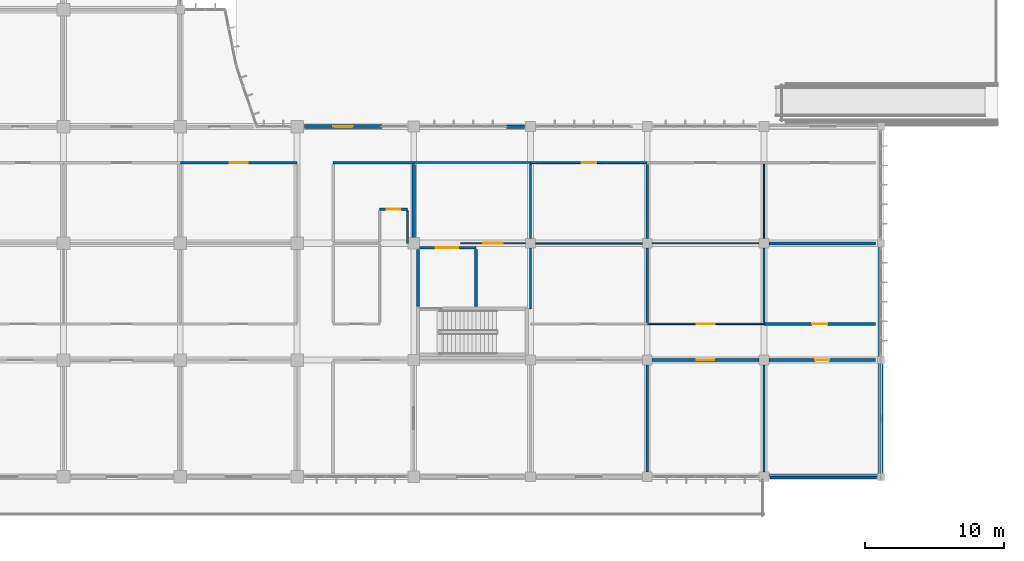
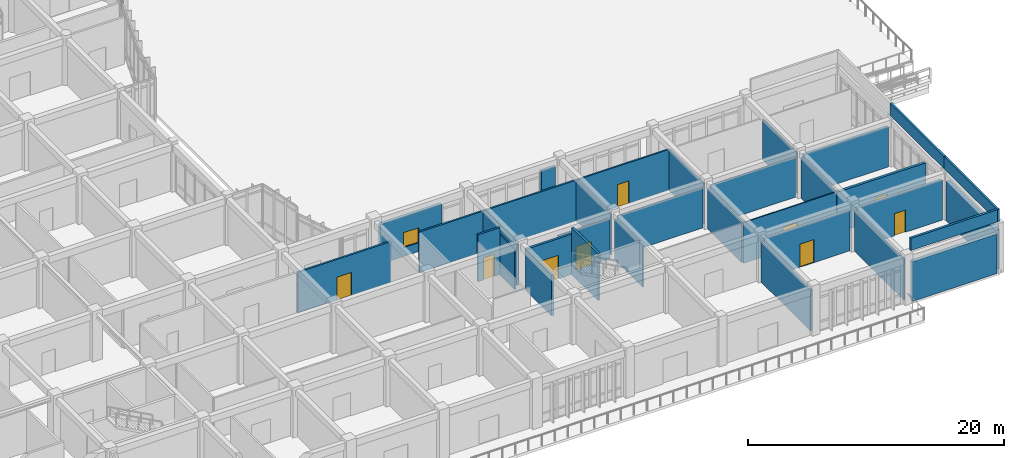
# One storey, part 108 of 138: 33 walls, 9 doors, 1 window, 10 openings.
"""IFC4 building model written with IfcOpenShell, lengths in metres."""

from ifc_helpers import new_model, si_unit, direction, frame, frame_2d, origin, place, context, subcontext, project, spatial, rectangle, extrude, material, layer, layer_set, type_object, element, fill, save


model = new_model("IFC4")

# Units and contexts
model_context = context("Model", 3, precision=1e-05, world=origin(), true_north=direction((0.0, 1.0)))
body_context = subcontext(model_context, "Body", "Model", "MODEL_VIEW")
ifc_project = project(units=[si_unit("LENGTHUNIT", "METRE"), si_unit("AREAUNIT", "SQUARE_METRE"), si_unit("VOLUMEUNIT", "CUBIC_METRE"), si_unit("PLANEANGLEUNIT", "RADIAN"), si_unit("MASSUNIT", "GRAM", prefix="KILO")], contexts=[model_context])

# Site, building, storey
site_placement = place(None, origin())
site = spatial("IfcSite", under=ifc_project, at=site_placement, CompositionType="ELEMENT")
building_placement = place(site_placement, origin())
building = spatial("IfcBuilding", under=site, at=building_placement, Name="Bramfleet General Hospital", CompositionType="ELEMENT")
storey_placement = place(building_placement, origin())
storey = spatial("IfcBuildingStorey", under=building, at=storey_placement, Name="L00", CompositionType="ELEMENT", Elevation=0.0)

# Walls
ifc_material_1 = material(Name="Precast concrete C40/50", Category="concrete")
ifc_layer_1 = layer(ifc_material_1, 0.3349609375, Name="WT-EW-03")
ifc_layer_set_1 = layer_set([ifc_layer_1], Name="Precast concrete C40/50")
wall_type_1 = type_object("IfcWallType", Name="WT-EW-03", PredefinedType="SOLIDWALL", material=ifc_layer_set_1)
wall_1_placement = place(storey_placement, frame((176.39990234375, 8.074951171875, 0.0), z_axis=(0.0, 0.0, 1.0), x_axis=(0.0, -1.0, 0.0)))
element("IfcWall", 1, at=wall_1_placement, inside=storey, type_object=wall_type_1, Name="L00 Exterior Wall 134", PredefinedType="SOLIDWALL", context=body_context, shape_type="SweptSolid", body=[
    extrude(rectangle(XDim=7.75, YDim=0.3349609375, at=frame_2d((3.875, 0.0))), origin(), (0.0, 0.0, 1.0), 3.7900390625),
])
ifc_layer_2 = layer(ifc_material_1, 0.31494140625, Name="WT-EW-04")
ifc_layer_set_2 = layer_set([ifc_layer_2], Name="Precast concrete C40/50")
wall_type_2 = type_object("IfcWallType", Name="WT-EW-04", PredefinedType="SOLIDWALL", material=ifc_layer_set_2)
wall_2_placement = place(storey_placement, frame((176.074951171875, 0.0, 0.0), z_axis=(0.0, 0.0, 1.0), x_axis=(-1.0, 0.0, 0.0)))
element("IfcWall", 2, at=wall_2_placement, inside=storey, type_object=wall_type_2, Name="L00 Exterior Wall 135", PredefinedType="SOLIDWALL", context=body_context, shape_type="SweptSolid", body=[
    extrude(rectangle(XDim=7.64990234375, YDim=0.31494140625, at=frame_2d((3.824951171875, 0.0))), origin(), (0.0, 0.0, 1.0), 3.7900390625),
])

# Wall, opening, window
ifc_layer_3 = layer(ifc_material_1, 0.264892578125, Name="WT-EW-07")
ifc_layer_set_3 = layer_set([ifc_layer_3], Name="Precast concrete C40/50")
wall_type_3 = type_object("IfcWallType", Name="WT-EW-07", PredefinedType="SOLIDWALL", material=ifc_layer_set_3)
wall_3_placement = place(storey_placement, frame((134.925048828125, 25.199951171875, 0.0), z_axis=(0.0, 0.0, 1.0), x_axis=(1.0, 0.0, 0.0)))
wall_3 = element("IfcWall", 3, at=wall_3_placement, inside=storey, type_object=wall_type_3, Name="L00 Exterior Wall 131", PredefinedType="SOLIDWALL", context=body_context, shape_type="SweptSolid", body=[
    extrude(rectangle(XDim=5.572021484375, YDim=0.264892578125, at=frame_2d((2.7861328125, 0.0))), origin(), (0.0, 0.0, 1.0), 3.7900390625),
])
opening_1_placement = place(wall_3_placement, frame((2.0859375, 0.0, 0.85009765625)))
opening_1 = element("IfcOpeningElement", 4, at=opening_1_placement, cuts=wall_3, Name="Opening W-15", PredefinedType="OPENING", context=body_context, shape_type="SweptSolid", body=[
    extrude(rectangle(XDim=1.39990234375, YDim=1.419921875, at=frame_2d((0.699951171875, 0.7099609375))), frame((0.0, 0.142333984375, 0.0), z_axis=(0.0, -1.0, 0.0), x_axis=(1.0, 0.0, 0.0)), (0.0, 0.0, 1.0), 0.284912109375),
])
ifc_material_2 = material(Name="Anodised aluminium and low-E triple glazing", Category="aluminium")
window_type = type_object("IfcWindowType", Name="WIN-W-15", PartitioningType="SINGLE_PANEL", PredefinedType="WINDOW", material=ifc_material_2)
window_placement = place(opening_1_placement, origin())
window = element("IfcWindow", 5, at=window_placement, inside=storey, type_object=window_type, Name="L00 Facade Window WIN-L00-131-1", OverallHeight=1.419921875, OverallWidth=1.39990234375, PartitioningType="SINGLE_PANEL", PredefinedType="WINDOW", context=body_context, shape_type="SweptSolid", body=[
    extrude(rectangle(XDim=1.39990234375, YDim=1.419921875, at=frame_2d((0.699951171875, 0.7099609375))), frame((0.0, 0.030029296875, 0.0), z_axis=(0.0, -1.0, 0.0), x_axis=(1.0, 0.0, 0.0)), (0.0, 0.0, 1.0), 0.06005859375),
])
fill(opening_1, window)

# Wall
ifc_layer_4 = layer(ifc_material_1, 0.25, Name="WT-EW-08")
ifc_layer_set_4 = layer_set([ifc_layer_4], Name="Precast concrete C40/50")
wall_type_4 = type_object("IfcWallType", Name="WT-EW-08", PredefinedType="SOLIDWALL", material=ifc_layer_set_4)
wall_4_placement = place(storey_placement, frame((149.472900390625, 25.199951171875, 0.0), z_axis=(0.0, 0.0, 1.0), x_axis=(1.0, 0.0, 0.0)))
element("IfcWall", 6, at=wall_4_placement, inside=storey, type_object=wall_type_4, Name="L00 Exterior Wall 132", PredefinedType="SOLIDWALL", context=body_context, shape_type="SweptSolid", body=[
    extrude(rectangle(XDim=1.302001953125, YDim=0.25, at=frame_2d((0.65087890625, 0.0))), origin(), (0.0, 0.0, 1.0), 3.7900390625),
])

# Wall, opening, door
ifc_material_3 = material(Name="Concrete C35/45", Category="concrete")
ifc_layer_5 = layer(ifc_material_3, 0.219970703125, Name="WT-IW-01")
ifc_layer_set_5 = layer_set([ifc_layer_5], Name="Concrete C35/45")
wall_type_5 = type_object("IfcWallType", Name="WT-IW-01", PredefinedType="PARTITIONING", material=ifc_layer_set_5)
wall_5_placement = place(storey_placement, frame((159.945068359375, 8.39990234375, 0.0), z_axis=(0.0, 0.0, 1.0), x_axis=(1.0, 0.0, 0.0)))
wall_5 = element("IfcWall", 7, at=wall_5_placement, inside=storey, type_object=wall_type_5, Name="L00 Interior Partition IW-L00-0613", PredefinedType="PARTITIONING", context=body_context, shape_type="SweptSolid", body=[
    extrude(rectangle(XDim=7.7099609375, YDim=0.219970703125, at=frame_2d((3.85498046875, 0.0))), origin(), (0.0, 0.0, 1.0), 3.840087890625),
])
opening_2_placement = place(wall_5_placement, frame((3.22998046875, 0.0, 0.0)))
opening_2 = element("IfcOpeningElement", 8, at=opening_2_placement, cuts=wall_5, Name="Opening D0590", PredefinedType="OPENING", context=body_context, shape_type="SweptSolid", body=[
    extrude(rectangle(XDim=1.25, YDim=2.199951171875, at=frame_2d((0.625, 1.10009765625))), frame((0.0, 0.119873046875, 0.0), z_axis=(0.0, -1.0, 0.0), x_axis=(1.0, 0.0, 0.0)), (0.0, 0.0, 1.0), 0.239990234375),
])
ifc_material_4 = material(Name="Stainless steel and acoustic timber leaf", Category="steel")
door_type_1 = type_object("IfcDoorType", Name="DR-D-14", OperationType="NOTDEFINED", PredefinedType="DOOR", material=ifc_material_4)
door_1_placement = place(opening_2_placement, origin())
door_1 = element("IfcDoor", 9, at=door_1_placement, inside=storey, type_object=door_type_1, Name="Outpatient Clinic Room L00-1900 Door D0590", OperationType="SINGLE_SWING_LEFT", OverallHeight=2.199951171875, OverallWidth=1.25, PredefinedType="DOOR", context=body_context, shape_type="SweptSolid", body=[
    extrude(rectangle(XDim=1.25, YDim=2.199951171875, at=frame_2d((0.625, 1.10009765625))), frame((0.0, 0.02490234375, 0.0), z_axis=(0.0, -1.0, 0.0), x_axis=(1.0, 0.0, 0.0)), (0.0, 0.0, 1.0), 0.050048828125),
])
fill(opening_2, door_1)

wall_6_placement = place(storey_placement, frame((168.0, 11.0, 0.0), z_axis=(0.0, 0.0, 1.0), x_axis=(1.0, 0.0, 0.0)))
wall_6 = element("IfcWall", 10, at=wall_6_placement, inside=storey, type_object=wall_type_5, Name="L00 Interior Partition IW-L00-0625", PredefinedType="PARTITIONING", context=body_context, shape_type="SweptSolid", body=[
    extrude(rectangle(XDim=8.017578125, YDim=0.219970703125, at=frame_2d((4.0087890625, 0.0))), origin(), (0.0, 0.0, 1.0), 3.889892578125),
])
opening_3_placement = place(wall_6_placement, frame((3.46875, 0.0, 0.0)))
opening_3 = element("IfcOpeningElement", 11, at=opening_3_placement, cuts=wall_6, Name="Opening D0598", PredefinedType="OPENING", context=body_context, shape_type="SweptSolid", body=[
    extrude(rectangle(XDim=1.080078125, YDim=2.1201171875, at=frame_2d((0.5400390625, 1.06005859375))), frame((0.0, 0.119873046875, 0.0), z_axis=(0.0, -1.0, 0.0), x_axis=(1.0, 0.0, 0.0)), (0.0, 0.0, 1.0), 0.239990234375),
])
door_type_2 = type_object("IfcDoorType", Name="DR-D-22", OperationType="NOTDEFINED", PredefinedType="DOOR", material=ifc_material_4)
door_2_placement = place(opening_3_placement, origin())
door_2 = element("IfcDoor", 12, at=door_2_placement, inside=storey, type_object=door_type_2, Name="Outpatient Clinic Room L00-2001 Door D0598", OperationType="SINGLE_SWING_LEFT", OverallHeight=2.1201171875, OverallWidth=1.080078125, PredefinedType="DOOR", context=body_context, shape_type="SweptSolid", body=[
    extrude(rectangle(XDim=1.080078125, YDim=2.1201171875, at=frame_2d((0.5400390625, 1.06005859375))), frame((0.0, 0.02490234375, 0.0), z_axis=(0.0, -1.0, 0.0), x_axis=(1.0, 0.0, 0.0)), (0.0, 0.0, 1.0), 0.050048828125),
])
fill(opening_3, door_2)

# Walls
wall_7_placement = place(storey_placement, frame((168.344970703125, 16.800048828125, 0.0), z_axis=(0.0, 0.0, 1.0), x_axis=(1.0, 0.0, 0.0)))
element("IfcWall", 13, at=wall_7_placement, inside=storey, type_object=wall_type_5, Name="L00 Interior Partition IW-L00-0637", PredefinedType="PARTITIONING", context=body_context, shape_type="SweptSolid", body=[
    extrude(rectangle(XDim=7.6650390625, YDim=0.219970703125, at=frame_2d((3.83251953125, 0.0))), origin(), (0.0, 0.0, 1.0), 3.840087890625),
])
wall_8_placement = place(storey_placement, frame((142.800048828125, 17.195068359375, 0.0), z_axis=(0.0, 0.0, 1.0), x_axis=(0.0, 1.0, 0.0)))
element("IfcWall", 14, at=wall_8_placement, inside=storey, type_object=wall_type_5, Name="L00 Interior Partition IW-L00-1165", PredefinedType="PARTITIONING", context=body_context, shape_type="SweptSolid", body=[
    extrude(rectangle(XDim=5.2900390625, YDim=0.219970703125, at=frame_2d((2.64501953125, 0.0))), origin(), (0.0, 0.0, 1.0), 3.889892578125),
])
ifc_layer_6 = layer(ifc_material_3, 0.205078125, Name="WT-IW-02")
ifc_layer_set_6 = layer_set([ifc_layer_6], Name="Concrete C35/45")
wall_type_6 = type_object("IfcWallType", Name="WT-IW-02", PredefinedType="PARTITIONING", material=ifc_layer_set_6)
wall_9_placement = place(storey_placement, frame((147.280029296875, 12.239990234375, 0.0), z_axis=(0.0, 0.0, 1.0), x_axis=(0.0, 1.0, 0.0)))
element("IfcWall", 15, at=wall_9_placement, inside=storey, type_object=wall_type_6, Name="L00 C10 Lobby East Shaft Wall", PredefinedType="PARTITIONING", context=body_context, shape_type="SweptSolid", body=[
    extrude(rectangle(XDim=4.1201171875, YDim=0.205078125, at=frame_2d((2.06005859375, 0.0))), origin(), (0.0, 0.0, 1.0), 4.489990234375),
])
wall_10_placement = place(storey_placement, frame((143.10009765625, 12.239990234375, 0.0), z_axis=(0.0, 0.0, 1.0), x_axis=(0.0, 1.0, 0.0)))
element("IfcWall", 16, at=wall_10_placement, inside=storey, type_object=wall_type_6, Name="L00 C10 Lobby West Compartment Wall", PredefinedType="PARTITIONING", context=body_context, shape_type="SweptSolid", body=[
    extrude(rectangle(XDim=4.1201171875, YDim=0.205078125, at=frame_2d((2.06005859375, 0.0))), origin(), (0.0, 0.0, 1.0), 3.889892578125),
])

# Wall, opening, door
wall_11_placement = place(storey_placement, frame((143.10009765625, 16.47998046875, 0.0), z_axis=(0.0, 0.0, 1.0), x_axis=(1.0, 0.0, 0.0)))
wall_11 = element("IfcWall", 17, at=wall_11_placement, inside=storey, type_object=wall_type_6, Name="L00 C10 Lobby North Compartment Wall", PredefinedType="PARTITIONING", context=body_context, shape_type="SweptSolid", body=[
    extrude(rectangle(XDim=4.179931640625, YDim=0.205078125, at=frame_2d((2.08984375, 0.0))), origin(), (0.0, 0.0, 1.0), 3.840087890625),
])
opening_4_placement = place(wall_11_placement, frame((1.2900390625, 0.0, 0.0)))
opening_4 = element("IfcOpeningElement", 18, at=opening_4_placement, cuts=wall_11, Name="Opening D0126", PredefinedType="OPENING", context=body_context, shape_type="SweptSolid", body=[
    extrude(rectangle(XDim=1.60009765625, YDim=2.25, at=frame_2d((0.800048828125, 1.125))), frame((0.0, 0.112548828125, 0.0), z_axis=(0.0, -1.0, 0.0), x_axis=(1.0, 0.0, 0.0)), (0.0, 0.0, 1.0), 0.22509765625),
])
door_type_3 = type_object("IfcDoorType", Name="DR-D-04", OperationType="NOTDEFINED", PredefinedType="DOOR", material=ifc_material_4)
door_3_placement = place(opening_4_placement, origin())
door_3 = element("IfcDoor", 19, at=door_3_placement, inside=storey, type_object=door_type_3, Name="L00 C10 Lobby Fire Door D0126", OperationType="DOUBLE_SWING_LEFT", OverallHeight=2.25, OverallWidth=1.60009765625, PredefinedType="DOOR", context=body_context, shape_type="SweptSolid", body=[
    extrude(rectangle(XDim=1.60009765625, YDim=2.25, at=frame_2d((0.800048828125, 1.125))), frame((0.0, 0.02490234375, 0.0), z_axis=(0.0, -1.0, 0.0), x_axis=(1.0, 0.0, 0.0)), (0.0, 0.0, 1.0), 0.050048828125),
])
fill(opening_4, door_3)

wall_12_placement = place(storey_placement, frame((168.344970703125, 8.39990234375, 0.0), z_axis=(0.0, 0.0, 1.0), x_axis=(1.0, 0.0, 0.0)))
wall_12 = element("IfcWall", 20, at=wall_12_placement, inside=storey, type_object=wall_type_6, Name="L00 Interior Partition IW-L00-0614", PredefinedType="PARTITIONING", context=body_context, shape_type="SweptSolid", body=[
    extrude(rectangle(XDim=7.672607421875, YDim=0.205078125, at=frame_2d((3.83642578125, 0.0))), origin(), (0.0, 0.0, 1.0), 3.840087890625),
])
opening_5_placement = place(wall_12_placement, frame((3.326416015625, 0.0, 0.0)))
opening_5 = element("IfcOpeningElement", 21, at=opening_5_placement, cuts=wall_12, Name="Opening D0597", PredefinedType="OPENING", context=body_context, shape_type="SweptSolid", body=[
    extrude(rectangle(XDim=1.02001953125, YDim=2.1201171875, at=frame_2d((0.510009765625, 1.06005859375))), frame((0.0, 0.112548828125, 0.0), z_axis=(0.0, -1.0, 0.0), x_axis=(1.0, 0.0, 0.0)), (0.0, 0.0, 1.0), 0.22509765625),
])
door_type_4 = type_object("IfcDoorType", Name="DR-D-21", OperationType="NOTDEFINED", PredefinedType="DOOR", material=ifc_material_4)
door_4_placement = place(opening_5_placement, origin())
door_4 = element("IfcDoor", 22, at=door_4_placement, inside=storey, type_object=door_type_4, Name="Outpatient Clinic Room L00-2000 Door D0597", OperationType="SINGLE_SWING_RIGHT", OverallHeight=2.1201171875, OverallWidth=1.02001953125, PredefinedType="DOOR", context=body_context, shape_type="SweptSolid", body=[
    extrude(rectangle(XDim=1.02001953125, YDim=2.1201171875, at=frame_2d((0.510009765625, 1.06005859375))), frame((0.0, 0.02490234375, 0.0), z_axis=(0.0, -1.0, 0.0), x_axis=(1.0, 0.0, 0.0)), (0.0, 0.0, 1.0), 0.050048828125),
])
fill(opening_5, door_4)

# Wall
ifc_layer_7 = layer(ifc_material_3, 0.18994140625, Name="WT-IW-03")
ifc_layer_set_7 = layer_set([ifc_layer_7], Name="Concrete C35/45")
wall_type_7 = type_object("IfcWallType", Name="WT-IW-03", PredefinedType="PARTITIONING", material=ifc_layer_set_7)
wall_13_placement = place(storey_placement, frame((159.60009765625, 0.344970703125, 0.0), z_axis=(0.0, 0.0, 1.0), x_axis=(0.0, 1.0, 0.0)))
element("IfcWall", 23, at=wall_13_placement, inside=storey, type_object=wall_type_7, Name="L00 Interior Partition IW-L00-1179", PredefinedType="PARTITIONING", context=body_context, shape_type="SweptSolid", body=[
    extrude(rectangle(XDim=7.7099609375, YDim=0.18994140625, at=frame_2d((3.85498046875, 0.0))), origin(), (0.0, 0.0, 1.0), 3.889892578125),
])

# Wall, opening, door
ifc_layer_8 = layer(ifc_material_3, 0.179931640625, Name="WT-IW-04")
ifc_layer_set_8 = layer_set([ifc_layer_8], Name="Concrete C35/45")
wall_type_8 = type_object("IfcWallType", Name="WT-IW-04", PredefinedType="PARTITIONING", material=ifc_layer_set_8)
wall_14_placement = place(storey_placement, frame((140.35009765625, 19.25, 0.0), z_axis=(0.0, 0.0, 1.0), x_axis=(1.0, 0.0, 0.0)))
wall_14 = element("IfcWall", 24, at=wall_14_placement, inside=storey, type_object=wall_type_8, Name="L00 Interior Partition IW-L00-0640", PredefinedType="PARTITIONING", context=body_context, shape_type="SweptSolid", body=[
    extrude(rectangle(XDim=2.0, YDim=0.179931640625, at=frame_2d((1.0, 0.0))), origin(), (0.0, 0.0, 1.0), 4.489990234375),
])
opening_6_placement = place(wall_14_placement, frame((0.510009765625, 0.0, 0.0)))
opening_6 = element("IfcOpeningElement", 25, at=opening_6_placement, cuts=wall_14, Name="Opening D0570", PredefinedType="OPENING", context=body_context, shape_type="SweptSolid", body=[
    extrude(rectangle(XDim=0.97998046875, YDim=2.1201171875, at=frame_2d((0.489990234375, 1.06005859375))), frame((0.0, 0.099853515625, 0.0), z_axis=(0.0, -1.0, 0.0), x_axis=(1.0, 0.0, 0.0)), (0.0, 0.0, 1.0), 0.199951171875),
])
door_type_5 = type_object("IfcDoorType", Name="DR-D-26", OperationType="NOTDEFINED", PredefinedType="DOOR", material=ifc_material_4)
door_5_placement = place(opening_6_placement, origin())
door_5 = element("IfcDoor", 26, at=door_5_placement, inside=storey, type_object=door_type_5, Name="Outpatient Clinic Room L00-1602 Door D0570", OperationType="SINGLE_SWING_LEFT", OverallHeight=2.1201171875, OverallWidth=0.97998046875, PredefinedType="DOOR", context=body_context, shape_type="SweptSolid", body=[
    extrude(rectangle(XDim=0.97998046875, YDim=2.1201171875, at=frame_2d((0.489990234375, 1.06005859375))), frame((0.0, 0.02490234375, 0.0), z_axis=(0.0, -1.0, 0.0), x_axis=(1.0, 0.0, 0.0)), (0.0, 0.0, 1.0), 0.050048828125),
])
fill(opening_6, door_5)

# Wall
wall_15_placement = place(storey_placement, frame((159.60009765625, 11.114990234375, 0.0), z_axis=(0.0, 0.0, 1.0), x_axis=(0.0, 1.0, 0.0)))
element("IfcWall", 27, at=wall_15_placement, inside=storey, type_object=wall_type_8, Name="L00 Interior Partition IW-L00-1180", PredefinedType="PARTITIONING", context=body_context, shape_type="SweptSolid", body=[
    extrude(rectangle(XDim=5.340087890625, YDim=0.179931640625, at=frame_2d((2.669921875, 0.0))), origin(), (0.0, 0.0, 1.0), 3.889892578125),
])

# Wall, opening, door
ifc_material_5 = material(Name="Gypsum plasterboard on acoustic steel studs", Category="steel")
ifc_layer_9 = layer(ifc_material_5, 0.169921875, Name="WT-IW-05")
ifc_layer_set_9 = layer_set([ifc_layer_9], Name="Gypsum plasterboard on acoustic steel studs")
wall_type_9 = type_object("IfcWallType", Name="WT-IW-05", PredefinedType="PARTITIONING", material=ifc_layer_set_9)
wall_16_placement = place(storey_placement, frame((126.0, 22.60009765625, 0.0), z_axis=(0.0, 0.0, 1.0), x_axis=(1.0, 0.0, 0.0)))
wall_16 = element("IfcWall", 28, at=wall_16_placement, inside=storey, type_object=wall_type_9, Name="L00 Interior Partition IW-L00-0653", PredefinedType="PARTITIONING", context=body_context, shape_type="SweptSolid", body=[
    extrude(rectangle(XDim=8.39990234375, YDim=0.169921875, at=frame_2d((4.199951171875, 0.0))), origin(), (0.0, 0.0, 1.0), 3.889892578125),
])
opening_7_placement = place(wall_16_placement, frame((3.550048828125, 0.0, 0.0)))
opening_7 = element("IfcOpeningElement", 29, at=opening_7_placement, cuts=wall_16, Name="Opening D0559", PredefinedType="OPENING", context=body_context, shape_type="SweptSolid", body=[
    extrude(rectangle(XDim=1.300048828125, YDim=2.199951171875, at=frame_2d((0.64990234375, 1.10009765625))), frame((0.0, 0.094970703125, 0.0), z_axis=(0.0, -1.0, 0.0), x_axis=(1.0, 0.0, 0.0)), (0.0, 0.0, 1.0), 0.18994140625),
])
door_type_6 = type_object("IfcDoorType", Name="DR-D-15", OperationType="NOTDEFINED", PredefinedType="DOOR", material=ifc_material_4)
door_6_placement = place(opening_7_placement, origin())
door_6 = element("IfcDoor", 30, at=door_6_placement, inside=storey, type_object=door_type_6, Name="Outpatient Clinic Room L00-1502 Door D0559", OperationType="SINGLE_SWING_RIGHT", OverallHeight=2.199951171875, OverallWidth=1.300048828125, PredefinedType="DOOR", context=body_context, shape_type="SweptSolid", body=[
    extrude(rectangle(XDim=1.300048828125, YDim=2.199951171875, at=frame_2d((0.64990234375, 1.10009765625))), frame((0.0, 0.02490234375, 0.0), z_axis=(0.0, -1.0, 0.0), x_axis=(1.0, 0.0, 0.0)), (0.0, 0.0, 1.0), 0.050048828125),
])
fill(opening_7, door_6)

# Walls
wall_17_placement = place(storey_placement, frame((159.60009765625, 17.14501953125, 0.0), z_axis=(0.0, 0.0, 1.0), x_axis=(0.0, 1.0, 0.0)))
element("IfcWall", 31, at=wall_17_placement, inside=storey, type_object=wall_type_9, Name="L00 Interior Partition IW-L00-1181", PredefinedType="PARTITIONING", context=body_context, shape_type="SweptSolid", body=[
    extrude(rectangle(XDim=5.340087890625, YDim=0.169921875, at=frame_2d((2.669921875, 0.0))), origin(), (0.0, 0.0, 1.0), 3.889892578125),
])
ifc_layer_10 = layer(ifc_material_5, 0.159912109375, Name="WT-IW-06")
ifc_layer_set_10 = layer_set([ifc_layer_10], Name="Gypsum plasterboard on acoustic steel studs")
wall_type_10 = type_object("IfcWallType", Name="WT-IW-06", PredefinedType="PARTITIONING", material=ifc_layer_set_10)
wall_18_placement = place(storey_placement, frame((137.0, 22.60009765625, 0.0), z_axis=(0.0, 0.0, 1.0), x_axis=(1.0, 0.0, 0.0)))
element("IfcWall", 32, at=wall_18_placement, inside=storey, type_object=wall_type_10, Name="L00 Interior Partition IW-L00-0654", PredefinedType="PARTITIONING", context=body_context, shape_type="SweptSolid", body=[
    extrude(rectangle(XDim=5.800048828125, YDim=0.159912109375, at=frame_2d((2.89990234375, 0.0))), origin(), (0.0, 0.0, 1.0), 3.889892578125),
])
ifc_layer_11 = layer(ifc_material_5, 0.14990234375, Name="WT-IW-07")
ifc_layer_set_11 = layer_set([ifc_layer_11], Name="Gypsum plasterboard on acoustic steel studs")
wall_type_11 = type_object("IfcWallType", Name="WT-IW-07", PredefinedType="PARTITIONING", material=ifc_layer_set_11)
wall_19_placement = place(storey_placement, frame((142.800048828125, 22.60009765625, 0.0), z_axis=(0.0, 0.0, 1.0), x_axis=(1.0, 0.0, 0.0)))
element("IfcWall", 33, at=wall_19_placement, inside=storey, type_object=wall_type_11, Name="L00 Interior Partition IW-L00-0655", PredefinedType="PARTITIONING", context=body_context, shape_type="SweptSolid", body=[
    extrude(rectangle(XDim=8.39990234375, YDim=0.14990234375, at=frame_2d((4.199951171875, 0.0))), origin(), (0.0, 0.0, 1.0), 3.889892578125),
])

# Wall, opening, door
ifc_layer_12 = layer(ifc_material_5, 0.139892578125, Name="WT-IW-08")
ifc_layer_set_12 = layer_set([ifc_layer_12], Name="Gypsum plasterboard on acoustic steel studs")
wall_type_12 = type_object("IfcWallType", Name="WT-IW-08", PredefinedType="PARTITIONING", material=ifc_layer_set_12)
wall_20_placement = place(storey_placement, frame((151.199951171875, 22.60009765625, 0.0), z_axis=(0.0, 0.0, 1.0), x_axis=(1.0, 0.0, 0.0)))
wall_20 = element("IfcWall", 34, at=wall_20_placement, inside=storey, type_object=wall_type_12, Name="L00 Interior Partition IW-L00-0656", PredefinedType="PARTITIONING", context=body_context, shape_type="SweptSolid", body=[
    extrude(rectangle(XDim=8.400146484375, YDim=0.139892578125, at=frame_2d((4.2001953125, 0.0))), origin(), (0.0, 0.0, 1.0), 3.889892578125),
])
opening_8_placement = place(wall_20_placement, frame((3.675048828125, 0.0, 0.0)))
opening_8 = element("IfcOpeningElement", 35, at=opening_8_placement, cuts=wall_20, Name="Opening D0585", PredefinedType="OPENING", context=body_context, shape_type="SweptSolid", body=[
    extrude(rectangle(XDim=1.050048828125, YDim=2.14990234375, at=frame_2d((0.52490234375, 1.074951171875))), frame((0.0, 0.079833984375, 0.0), z_axis=(0.0, -1.0, 0.0), x_axis=(1.0, 0.0, 0.0)), (0.0, 0.0, 1.0), 0.159912109375),
])
door_type_7 = type_object("IfcDoorType", Name="DR-D-09", OperationType="NOTDEFINED", PredefinedType="DOOR", material=ifc_material_4)
door_7_placement = place(opening_8_placement, origin())
door_7 = element("IfcDoor", 36, at=door_7_placement, inside=storey, type_object=door_type_7, Name="Outpatient Clinic Room L00-1802 Door D0585", OperationType="SINGLE_SWING_RIGHT", OverallHeight=2.14990234375, OverallWidth=1.050048828125, PredefinedType="DOOR", context=body_context, shape_type="SweptSolid", body=[
    extrude(rectangle(XDim=1.050048828125, YDim=2.14990234375, at=frame_2d((0.52490234375, 1.074951171875))), frame((0.0, 0.02490234375, 0.0), z_axis=(0.0, -1.0, 0.0), x_axis=(1.0, 0.0, 0.0)), (0.0, 0.0, 1.0), 0.050048828125),
])
fill(opening_8, door_7)

# Walls
wall_21_placement = place(storey_placement, frame((151.199951171875, 12.10009765625, 0.0), z_axis=(0.0, 0.0, 1.0), x_axis=(0.0, 1.0, 0.0)))
element("IfcWall", 37, at=wall_21_placement, inside=storey, type_object=wall_type_12, Name="L00 Interior Partition IW-L00-1172", PredefinedType="PARTITIONING", context=body_context, shape_type="SweptSolid", body=[
    extrude(rectangle(XDim=4.35498046875, YDim=0.139892578125, at=frame_2d((2.177490234375, 0.0))), origin(), (0.0, 0.0, 1.0), 3.889892578125),
])
ifc_layer_13 = layer(ifc_material_5, 0.1298828125, Name="WT-IW-09")
ifc_layer_set_13 = layer_set([ifc_layer_13], Name="Gypsum plasterboard on acoustic steel studs")
wall_type_13 = type_object("IfcWallType", Name="WT-IW-09", PredefinedType="PARTITIONING", material=ifc_layer_set_13)
wall_22_placement = place(storey_placement, frame((151.199951171875, 17.14501953125, 0.0), z_axis=(0.0, 0.0, 1.0), x_axis=(0.0, 1.0, 0.0)))
element("IfcWall", 38, at=wall_22_placement, inside=storey, type_object=wall_type_13, Name="L00 Interior Partition IW-L00-1173", PredefinedType="PARTITIONING", context=body_context, shape_type="SweptSolid", body=[
    extrude(rectangle(XDim=5.340087890625, YDim=0.1298828125, at=frame_2d((2.669921875, 0.0))), origin(), (0.0, 0.0, 1.0), 3.889892578125),
])

# Wall, opening, door
ifc_layer_14 = layer(ifc_material_5, 0.1201171875, Name="WT-IW-10")
ifc_layer_set_14 = layer_set([ifc_layer_14], Name="Gypsum plasterboard on acoustic steel studs")
wall_type_14 = type_object("IfcWallType", Name="WT-IW-10", PredefinedType="PARTITIONING", material=ifc_layer_set_14)
wall_23_placement = place(storey_placement, frame((146.14990234375, 16.800048828125, 0.0), z_axis=(0.0, 0.0, 1.0), x_axis=(1.0, 0.0, 0.0)))
wall_23 = element("IfcWall", 39, at=wall_23_placement, inside=storey, type_object=wall_type_14, Name="L00 Interior Partition IW-L00-0634", PredefinedType="PARTITIONING", context=body_context, shape_type="SweptSolid", body=[
    extrude(rectangle(XDim=4.705078125, YDim=0.1201171875, at=frame_2d((2.3525390625, 0.0))), origin(), (0.0, 0.0, 1.0), 3.840087890625),
])
opening_9_placement = place(wall_23_placement, frame((1.652587890625, 0.0, 0.0)))
opening_9 = element("IfcOpeningElement", 40, at=opening_9_placement, cuts=wall_23, Name="Opening D0577", PredefinedType="OPENING", context=body_context, shape_type="SweptSolid", body=[
    extrude(rectangle(XDim=1.39990234375, YDim=2.199951171875, at=frame_2d((0.699951171875, 1.10009765625))), frame((0.0, 0.070068359375, 0.0), z_axis=(0.0, -1.0, 0.0), x_axis=(1.0, 0.0, 0.0)), (0.0, 0.0, 1.0), 0.14013671875),
])
door_type_8 = type_object("IfcDoorType", Name="DR-D-01", OperationType="NOTDEFINED", PredefinedType="DOOR", material=ifc_material_4)
door_8_placement = place(opening_9_placement, origin())
door_8 = element("IfcDoor", 41, at=door_8_placement, inside=storey, type_object=door_type_8, Name="Outpatient Clinic Room L00-1702 Door D0577", OperationType="SINGLE_SWING_RIGHT", OverallHeight=2.199951171875, OverallWidth=1.39990234375, PredefinedType="DOOR", context=body_context, shape_type="SweptSolid", body=[
    extrude(rectangle(XDim=1.39990234375, YDim=2.199951171875, at=frame_2d((0.699951171875, 1.10009765625))), frame((0.0, 0.02490234375, 0.0), z_axis=(0.0, -1.0, 0.0), x_axis=(1.0, 0.0, 0.0)), (0.0, 0.0, 1.0), 0.050048828125),
])
fill(opening_9, door_8)

# Walls
wall_24_placement = place(storey_placement, frame((168.0, 0.344970703125, 0.0), z_axis=(0.0, 0.0, 1.0), x_axis=(0.0, 1.0, 0.0)))
element("IfcWall", 42, at=wall_24_placement, inside=storey, type_object=wall_type_14, Name="L00 Interior Partition IW-L00-1186", PredefinedType="PARTITIONING", context=body_context, shape_type="SweptSolid", body=[
    extrude(rectangle(XDim=7.7099609375, YDim=0.1201171875, at=frame_2d((3.85498046875, 0.0))), origin(), (0.0, 0.0, 1.0), 3.889892578125),
])
ifc_layer_15 = layer(ifc_material_5, 0.112060546875, Name="WT-IW-11")
ifc_layer_set_15 = layer_set([ifc_layer_15], Name="Gypsum plasterboard on acoustic steel studs")
wall_type_15 = type_object("IfcWallType", Name="WT-IW-11", PredefinedType="PARTITIONING", material=ifc_layer_set_15)
wall_25_placement = place(storey_placement, frame((151.544921875, 16.800048828125, 0.0), z_axis=(0.0, 0.0, 1.0), x_axis=(1.0, 0.0, 0.0)))
element("IfcWall", 43, at=wall_25_placement, inside=storey, type_object=wall_type_15, Name="L00 Interior Partition IW-L00-0635", PredefinedType="PARTITIONING", context=body_context, shape_type="SweptSolid", body=[
    extrude(rectangle(XDim=7.7099609375, YDim=0.112060546875, at=frame_2d((3.85498046875, 0.0))), origin(), (0.0, 0.0, 1.0), 3.840087890625),
])
wall_26_placement = place(storey_placement, frame((142.35009765625, 16.800048828125, 0.0), z_axis=(0.0, 0.0, 1.0), x_axis=(0.0, 1.0, 0.0)))
element("IfcWall", 44, at=wall_26_placement, inside=storey, type_object=wall_type_15, Name="L00 Interior Partition IW-L00-1163", PredefinedType="PARTITIONING", context=body_context, shape_type="SweptSolid", body=[
    extrude(rectangle(XDim=2.3349609375, YDim=0.112060546875, at=frame_2d((1.16748046875, 0.0))), origin(), (0.0, 0.0, 1.0), 3.840087890625),
])
wall_27_placement = place(storey_placement, frame((168.0, 11.114990234375, 0.0), z_axis=(0.0, 0.0, 1.0), x_axis=(0.0, 1.0, 0.0)))
element("IfcWall", 45, at=wall_27_placement, inside=storey, type_object=wall_type_15, Name="L00 Interior Partition IW-L00-1187", PredefinedType="PARTITIONING", context=body_context, shape_type="SweptSolid", body=[
    extrude(rectangle(XDim=5.340087890625, YDim=0.112060546875, at=frame_2d((2.669921875, 0.0))), origin(), (0.0, 0.0, 1.0), 3.889892578125),
])

# Wall, opening, door
ifc_layer_16 = layer(ifc_material_5, 0.10009765625, Name="WT-IW-12")
ifc_layer_set_16 = layer_set([ifc_layer_16], Name="Gypsum plasterboard on acoustic steel studs")
wall_type_16 = type_object("IfcWallType", Name="WT-IW-12", PredefinedType="PARTITIONING", material=ifc_layer_set_16)
wall_28_placement = place(storey_placement, frame((159.60009765625, 11.0, 0.0), z_axis=(0.0, 0.0, 1.0), x_axis=(1.0, 0.0, 0.0)))
wall_28 = element("IfcWall", 46, at=wall_28_placement, inside=storey, type_object=wall_type_16, Name="L00 Interior Partition IW-L00-0624", PredefinedType="PARTITIONING", context=body_context, shape_type="SweptSolid", body=[
    extrude(rectangle(XDim=8.39990234375, YDim=0.10009765625, at=frame_2d((4.199951171875, 0.0))), origin(), (0.0, 0.0, 1.0), 3.889892578125),
])
opening_10_placement = place(wall_28_placement, frame((3.550048828125, 0.0, 0.0)))
opening_10 = element("IfcOpeningElement", 47, at=opening_10_placement, cuts=wall_28, Name="Opening D0591", PredefinedType="OPENING", context=body_context, shape_type="SweptSolid", body=[
    extrude(rectangle(XDim=1.300048828125, YDim=2.199951171875, at=frame_2d((0.64990234375, 1.10009765625))), frame((0.0, 0.06005859375, 0.0), z_axis=(0.0, -1.0, 0.0), x_axis=(1.0, 0.0, 0.0)), (0.0, 0.0, 1.0), 0.1201171875),
])
door_9_placement = place(opening_10_placement, origin())
door_9 = element("IfcDoor", 48, at=door_9_placement, inside=storey, type_object=door_type_6, Name="Outpatient Clinic Room L00-1901 Door D0591", OperationType="SINGLE_SWING_RIGHT", OverallHeight=2.199951171875, OverallWidth=1.300048828125, PredefinedType="DOOR", context=body_context, shape_type="SweptSolid", body=[
    extrude(rectangle(XDim=1.300048828125, YDim=2.199951171875, at=frame_2d((0.64990234375, 1.10009765625))), frame((0.0, 0.02490234375, 0.0), z_axis=(0.0, -1.0, 0.0), x_axis=(1.0, 0.0, 0.0)), (0.0, 0.0, 1.0), 0.050048828125),
])
fill(opening_10, door_9)

# Walls
wall_29_placement = place(storey_placement, frame((159.945068359375, 16.800048828125, 0.0), z_axis=(0.0, 0.0, 1.0), x_axis=(1.0, 0.0, 0.0)))
element("IfcWall", 49, at=wall_29_placement, inside=storey, type_object=wall_type_16, Name="L00 Interior Partition IW-L00-0636", PredefinedType="PARTITIONING", context=body_context, shape_type="SweptSolid", body=[
    extrude(rectangle(XDim=7.7099609375, YDim=0.10009765625, at=frame_2d((3.85498046875, 0.0))), origin(), (0.0, 0.0, 1.0), 3.840087890625),
])
wall_30_placement = place(storey_placement, frame((168.0, 17.14501953125, 0.0), z_axis=(0.0, 0.0, 1.0), x_axis=(0.0, 1.0, 0.0)))
element("IfcWall", 50, at=wall_30_placement, inside=storey, type_object=wall_type_16, Name="L00 Interior Partition IW-L00-1188", PredefinedType="PARTITIONING", context=body_context, shape_type="SweptSolid", body=[
    extrude(rectangle(XDim=5.340087890625, YDim=0.10009765625, at=frame_2d((2.669921875, 0.0))), origin(), (0.0, 0.0, 1.0), 3.889892578125),
])
ifc_layer_17 = layer(ifc_material_1, 0.199951171875, Name="WT-PW-01")
ifc_layer_set_17 = layer_set([ifc_layer_17], Name="Precast concrete C40/50")
wall_type_17 = type_object("IfcWallType", Name="WT-PW-01", PredefinedType="PARAPET", material=ifc_layer_set_17)
wall_31_placement = place(storey_placement, frame((176.39990234375, 0.110107421875, 4.780029296875), z_axis=(0.0, 0.0, 1.0), x_axis=(-1.0, 0.0, 0.0)))
element("IfcWall", 51, at=wall_31_placement, inside=storey, type_object=wall_type_17, Name="Roof Parapet Wall 88", PredefinedType="PARAPET", context=body_context, shape_type="SweptSolid", body=[
    extrude(rectangle(XDim=8.02001953125, YDim=0.199951171875, at=frame_2d((4.010009765625, 0.0))), origin(), (0.0, 0.0, 1.0), 1.169921875),
])
ifc_layer_18 = layer(ifc_material_1, 0.18505859375, Name="WT-PW-02")
ifc_layer_set_18 = layer_set([ifc_layer_18], Name="Precast concrete C40/50")
wall_type_18 = type_object("IfcWallType", Name="WT-PW-02", PredefinedType="PARAPET", material=ifc_layer_set_18)
wall_32_placement = place(storey_placement, frame((176.297607421875, 16.800048828125, 4.780029296875), z_axis=(0.0, 0.0, 1.0), x_axis=(0.0, -1.0, 0.0)))
element("IfcWall", 52, at=wall_32_placement, inside=storey, type_object=wall_type_18, Name="Roof Parapet Wall 86", PredefinedType="PARAPET", context=body_context, shape_type="SweptSolid", body=[
    extrude(rectangle(XDim=8.400146484375, YDim=0.18505859375, at=frame_2d((4.2001953125, 0.0))), origin(), (0.0, 0.0, 1.0), 1.169921875),
])
ifc_layer_19 = layer(ifc_material_1, 0.169921875, Name="WT-PW-03")
ifc_layer_set_19 = layer_set([ifc_layer_19], Name="Precast concrete C40/50")
wall_type_19 = type_object("IfcWallType", Name="WT-PW-03", PredefinedType="PARAPET", material=ifc_layer_set_19)
wall_33_placement = place(storey_placement, frame((176.304931640625, 8.39990234375, 4.780029296875), z_axis=(0.0, 0.0, 1.0), x_axis=(0.0, -1.0, 0.0)))
element("IfcWall", 53, at=wall_33_placement, inside=storey, type_object=wall_type_19, Name="Roof Parapet Wall 87", PredefinedType="PARAPET", context=body_context, shape_type="SweptSolid", body=[
    extrude(rectangle(XDim=8.39990234375, YDim=0.169921875, at=frame_2d((4.199951171875, 0.0))), origin(), (0.0, 0.0, 1.0), 1.169921875),
])

save(model, "model.ifc")
